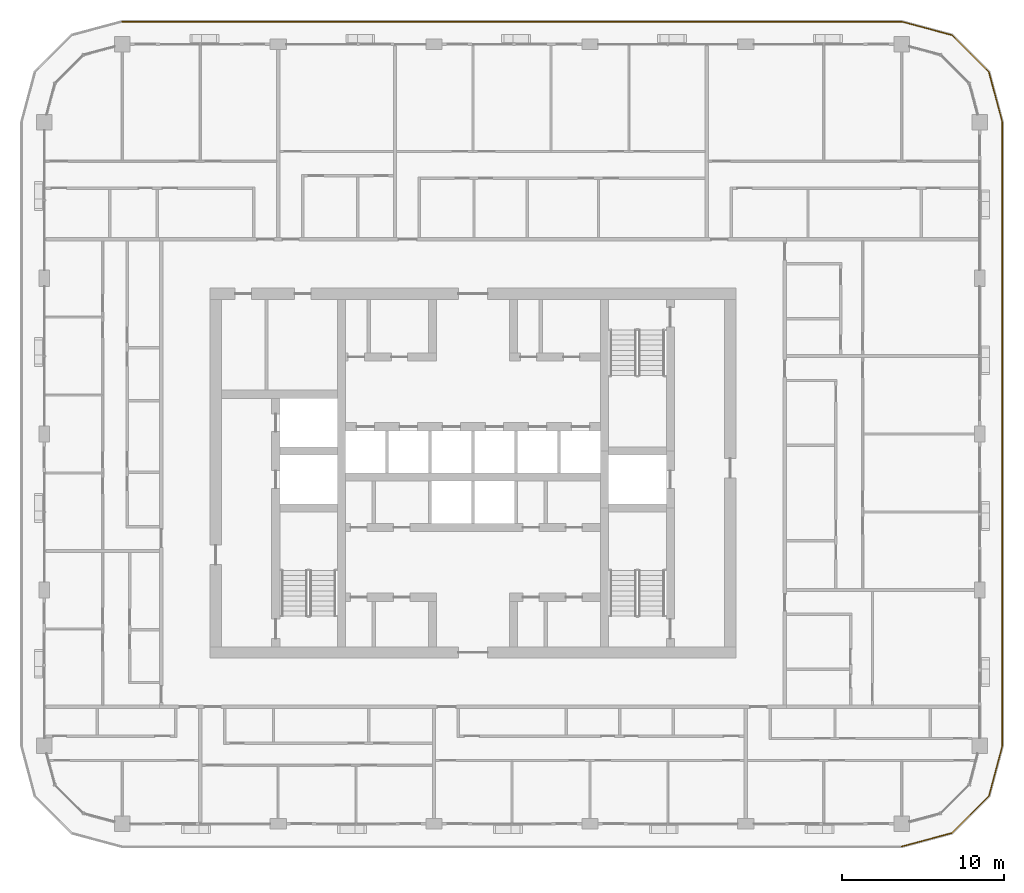
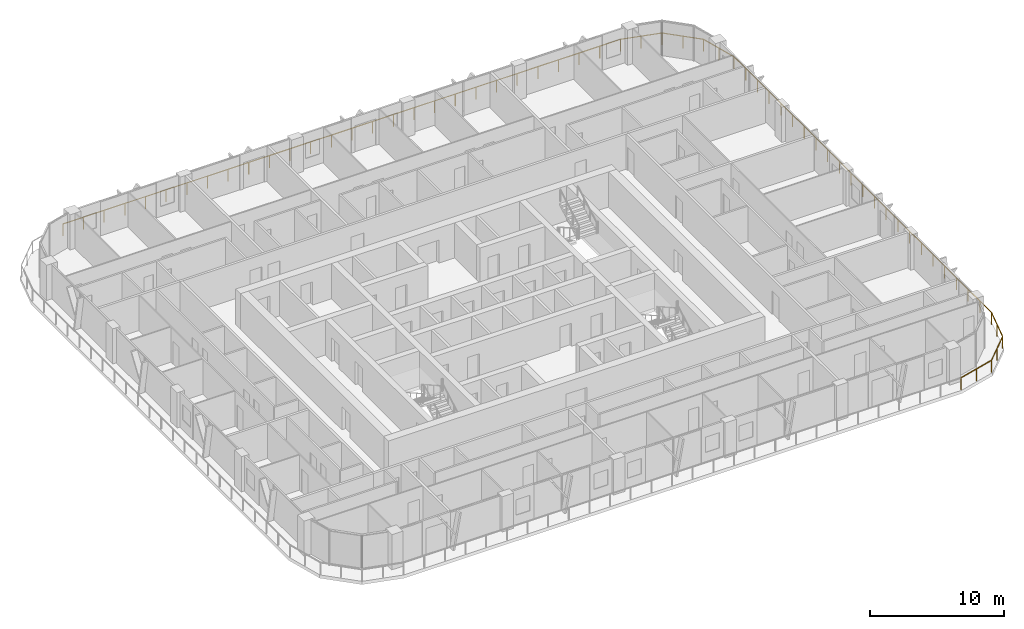
# One storey, part 21 of 23: 1 railing.
"""IFC4 building model written with IfcOpenShell, lengths in metres."""

from ifc_helpers import new_model, si_unit, direction, frame, origin, origin_2d, place, context, subcontext, project, spatial, circle, extrude, material, type_object, element, save


model = new_model("IFC4")

# Units and contexts
model_context = context("Model", 3, precision=1e-05, world=origin(), true_north=direction((0.0, 1.0)))
body_context = subcontext(model_context, "Body", "Model", "MODEL_VIEW")
ifc_project = project(units=[si_unit("LENGTHUNIT", "METRE"), si_unit("AREAUNIT", "SQUARE_METRE"), si_unit("VOLUMEUNIT", "CUBIC_METRE"), si_unit("PLANEANGLEUNIT", "RADIAN"), si_unit("MASSUNIT", "GRAM", prefix="KILO")], contexts=[model_context])

# Site, building, storey
site_placement = place(None, origin())
site = spatial("IfcSite", under=ifc_project, at=site_placement, CompositionType="ELEMENT")
building_placement = place(site_placement, origin())
building = spatial("IfcBuilding", under=site, at=building_placement, Name="Madar Terraces", CompositionType="ELEMENT")
storey_placement = place(building_placement, frame((0.0, 0.0, 222.800048828125)))
storey = spatial("IfcBuildingStorey", under=building, at=storey_placement, Name="L58", CompositionType="ELEMENT", Elevation=222.800048828125)

# Railing
ifc_material = material(Name="Glass, safety glazing, with stainless steel posts", Category="steel")
railing_type = type_object("IfcRailingType", Name="Balcony glass guard 1100", PredefinedType="GUARDRAIL", material=ifc_material)
railing_placement = place(storey_placement, frame((57.60009765625, 3.39990234375, 0.0)))
element("IfcRailing", 1, at=railing_placement, inside=storey, type_object=railing_type, Name="Balcony guard", PredefinedType="GUARDRAIL", context=body_context, shape_type="SweptSolid", body=[
    extrude(circle(Radius=0.02392578125, at=origin_2d()), frame((0.0, 0.0, 1.076171875), z_axis=(0.965909675762, 0.25887931217, 0.0), x_axis=(-0.25887931217, 0.965909675762, 0.0)), (0.0, 0.0, 1.0), 3.209228515625),
    extrude(circle(Radius=0.02392578125, at=origin_2d()), frame((3.099853515625, 0.830810546875, 1.076171875), z_axis=(0.707144815061, 0.707068745266, 0.0), x_axis=(-0.707068745266, 0.707144815061, 0.0)), (0.0, 0.0, 1.0), 3.20947265625),
    extrude(circle(Radius=0.02392578125, at=origin_2d()), frame((5.369384765625, 3.10009765625, 1.076171875), z_axis=(0.258789317819, 0.9659337912, 0.0), x_axis=(-0.9659337912, 0.258789317819, 0.0)), (0.0, 0.0, 1.0), 3.20947265625),
    extrude(circle(Radius=0.02392578125, at=origin_2d()), frame((6.199951171875, 6.2001953125, 1.076171875), z_axis=(0.0, 1.0, 0.0), x_axis=(-1.0, 0.0, 0.0)), (0.0, 0.0, 1.0), 38.39990234375),
    extrude(circle(Radius=0.02392578125, at=origin_2d()), frame((6.199951171875, 44.60009765625, 1.076171875), z_axis=(-0.258789317819, 0.9659337912, 0.0), x_axis=(-0.9659337912, -0.258789317819, 0.0)), (0.0, 0.0, 1.0), 3.20947265625),
    extrude(circle(Radius=0.02392578125, at=origin_2d()), frame((5.369384765625, 47.7001953125, 1.076171875), z_axis=(-0.707144815061, 0.707068745266, 0.0), x_axis=(-0.707068745266, -0.707144815061, 0.0)), (0.0, 0.0, 1.0), 3.20947265625),
    extrude(circle(Radius=0.02392578125, at=origin_2d()), frame((3.099853515625, 49.969482421875, 1.076171875), z_axis=(-0.965928696102, 0.258808334578, 0.0), x_axis=(-0.258808334578, -0.965928696102, 0.0)), (0.0, 0.0, 1.0), 3.209228515625),
    extrude(circle(Radius=0.02392578125, at=origin_2d()), frame((0.0, 50.800048828125, 1.076171875), z_axis=(-1.0, 0.0, 0.0), x_axis=(0.0, -1.0, 0.0)), (0.0, 0.0, 1.0), 48.0),
    extrude(circle(Radius=0.02099609375, at=origin_2d()), origin(), (0.0, 0.0, 1.0), 1.052001953125),
    extrude(circle(Radius=0.02099609375, at=origin_2d()), frame((1.5498046875, 0.41552734375, 0.0)), (0.0, 0.0, 1.0), 1.052001953125),
    extrude(circle(Radius=0.02099609375, at=origin_2d()), frame((3.099853515625, 0.830810546875, 0.0)), (0.0, 0.0, 1.0), 1.052001953125),
    extrude(circle(Radius=0.02099609375, at=origin_2d()), frame((4.234619140625, 1.96533203125, 0.0)), (0.0, 0.0, 1.0), 1.052001953125),
    extrude(circle(Radius=0.02099609375, at=origin_2d()), frame((5.369384765625, 3.10009765625, 0.0)), (0.0, 0.0, 1.0), 1.052001953125),
    extrude(circle(Radius=0.02099609375, at=origin_2d()), frame((5.78466796875, 4.650146484375, 0.0)), (0.0, 0.0, 1.0), 1.052001953125),
    extrude(circle(Radius=0.02099609375, at=origin_2d()), frame((6.199951171875, 6.2001953125, 0.0)), (0.0, 0.0, 1.0), 1.052001953125),
    extrude(circle(Radius=0.02099609375, at=origin_2d()), frame((6.199951171875, 7.945556640625, 0.0)), (0.0, 0.0, 1.0), 1.052001953125),
    extrude(circle(Radius=0.02099609375, at=origin_2d()), frame((6.199951171875, 9.691162109375, 0.0)), (0.0, 0.0, 1.0), 1.052001953125),
    extrude(circle(Radius=0.02099609375, at=origin_2d()), frame((6.199951171875, 11.4365234375, 0.0)), (0.0, 0.0, 1.0), 1.052001953125),
    extrude(circle(Radius=0.02099609375, at=origin_2d()), frame((6.199951171875, 13.181884765625, 0.0)), (0.0, 0.0, 1.0), 1.052001953125),
    extrude(circle(Radius=0.02099609375, at=origin_2d()), frame((6.199951171875, 14.927490234375, 0.0)), (0.0, 0.0, 1.0), 1.052001953125),
    extrude(circle(Radius=0.02099609375, at=origin_2d()), frame((6.199951171875, 16.6728515625, 0.0)), (0.0, 0.0, 1.0), 1.052001953125),
    extrude(circle(Radius=0.02099609375, at=origin_2d()), frame((6.199951171875, 18.41845703125, 0.0)), (0.0, 0.0, 1.0), 1.052001953125),
    extrude(circle(Radius=0.02099609375, at=origin_2d()), frame((6.199951171875, 20.163818359375, 0.0)), (0.0, 0.0, 1.0), 1.052001953125),
    extrude(circle(Radius=0.02099609375, at=origin_2d()), frame((6.199951171875, 21.9091796875, 0.0)), (0.0, 0.0, 1.0), 1.052001953125),
    extrude(circle(Radius=0.02099609375, at=origin_2d()), frame((6.199951171875, 23.65478515625, 0.0)), (0.0, 0.0, 1.0), 1.052001953125),
    extrude(circle(Radius=0.02099609375, at=origin_2d()), frame((6.199951171875, 25.400146484375, 0.0)), (0.0, 0.0, 1.0), 1.052001953125),
    extrude(circle(Radius=0.02099609375, at=origin_2d()), frame((6.199951171875, 27.1455078125, 0.0)), (0.0, 0.0, 1.0), 1.052001953125),
    extrude(circle(Radius=0.02099609375, at=origin_2d()), frame((6.199951171875, 28.89111328125, 0.0)), (0.0, 0.0, 1.0), 1.052001953125),
    extrude(circle(Radius=0.02099609375, at=origin_2d()), frame((6.199951171875, 30.636474609375, 0.0)), (0.0, 0.0, 1.0), 1.052001953125),
    extrude(circle(Radius=0.02099609375, at=origin_2d()), frame((6.199951171875, 32.3818359375, 0.0)), (0.0, 0.0, 1.0), 1.052001953125),
    extrude(circle(Radius=0.02099609375, at=origin_2d()), frame((6.199951171875, 34.12744140625, 0.0)), (0.0, 0.0, 1.0), 1.052001953125),
    extrude(circle(Radius=0.02099609375, at=origin_2d()), frame((6.199951171875, 35.872802734375, 0.0)), (0.0, 0.0, 1.0), 1.052001953125),
    extrude(circle(Radius=0.02099609375, at=origin_2d()), frame((6.199951171875, 37.618408203125, 0.0)), (0.0, 0.0, 1.0), 1.052001953125),
    extrude(circle(Radius=0.02099609375, at=origin_2d()), frame((6.199951171875, 39.36376953125, 0.0)), (0.0, 0.0, 1.0), 1.052001953125),
    extrude(circle(Radius=0.02099609375, at=origin_2d()), frame((6.199951171875, 41.109130859375, 0.0)), (0.0, 0.0, 1.0), 1.052001953125),
    extrude(circle(Radius=0.02099609375, at=origin_2d()), frame((6.199951171875, 42.854736328125, 0.0)), (0.0, 0.0, 1.0), 1.052001953125),
    extrude(circle(Radius=0.02099609375, at=origin_2d()), frame((6.199951171875, 44.60009765625, 0.0)), (0.0, 0.0, 1.0), 1.052001953125),
    extrude(circle(Radius=0.02099609375, at=origin_2d()), frame((5.78466796875, 46.150146484375, 0.0)), (0.0, 0.0, 1.0), 1.052001953125),
    extrude(circle(Radius=0.02099609375, at=origin_2d()), frame((5.369384765625, 47.7001953125, 0.0)), (0.0, 0.0, 1.0), 1.052001953125),
    extrude(circle(Radius=0.02099609375, at=origin_2d()), frame((4.234619140625, 48.8349609375, 0.0)), (0.0, 0.0, 1.0), 1.052001953125),
    extrude(circle(Radius=0.02099609375, at=origin_2d()), frame((3.099853515625, 49.969482421875, 0.0)), (0.0, 0.0, 1.0), 1.052001953125),
    extrude(circle(Radius=0.02099609375, at=origin_2d()), frame((1.5498046875, 50.384765625, 0.0)), (0.0, 0.0, 1.0), 1.052001953125),
    extrude(circle(Radius=0.02099609375, at=origin_2d()), frame((0.0, 50.800048828125, 0.0)), (0.0, 0.0, 1.0), 1.052001953125),
    extrude(circle(Radius=0.02099609375, at=origin_2d()), frame((-1.77783203125, 50.800048828125, 0.0)), (0.0, 0.0, 1.0), 1.052001953125),
    extrude(circle(Radius=0.02099609375, at=origin_2d()), frame((-3.5556640625, 50.800048828125, 0.0)), (0.0, 0.0, 1.0), 1.052001953125),
    extrude(circle(Radius=0.02099609375, at=origin_2d()), frame((-5.333251953125, 50.800048828125, 0.0)), (0.0, 0.0, 1.0), 1.052001953125),
    extrude(circle(Radius=0.02099609375, at=origin_2d()), frame((-7.111083984375, 50.800048828125, 0.0)), (0.0, 0.0, 1.0), 1.052001953125),
    extrude(circle(Radius=0.02099609375, at=origin_2d()), frame((-8.888916015625, 50.800048828125, 0.0)), (0.0, 0.0, 1.0), 1.052001953125),
    extrude(circle(Radius=0.02099609375, at=origin_2d()), frame((-10.666748046875, 50.800048828125, 0.0)), (0.0, 0.0, 1.0), 1.052001953125),
    extrude(circle(Radius=0.02099609375, at=origin_2d()), frame((-12.4443359375, 50.800048828125, 0.0)), (0.0, 0.0, 1.0), 1.052001953125),
    extrude(circle(Radius=0.02099609375, at=origin_2d()), frame((-14.22216796875, 50.800048828125, 0.0)), (0.0, 0.0, 1.0), 1.052001953125),
    extrude(circle(Radius=0.02099609375, at=origin_2d()), frame((-16.0, 50.800048828125, 0.0)), (0.0, 0.0, 1.0), 1.052001953125),
    extrude(circle(Radius=0.02099609375, at=origin_2d()), frame((-17.77783203125, 50.800048828125, 0.0)), (0.0, 0.0, 1.0), 1.052001953125),
    extrude(circle(Radius=0.02099609375, at=origin_2d()), frame((-19.5556640625, 50.800048828125, 0.0)), (0.0, 0.0, 1.0), 1.052001953125),
    extrude(circle(Radius=0.02099609375, at=origin_2d()), frame((-21.333251953125, 50.800048828125, 0.0)), (0.0, 0.0, 1.0), 1.052001953125),
    extrude(circle(Radius=0.02099609375, at=origin_2d()), frame((-23.111083984375, 50.800048828125, 0.0)), (0.0, 0.0, 1.0), 1.052001953125),
    extrude(circle(Radius=0.02099609375, at=origin_2d()), frame((-24.888916015625, 50.800048828125, 0.0)), (0.0, 0.0, 1.0), 1.052001953125),
    extrude(circle(Radius=0.02099609375, at=origin_2d()), frame((-26.666748046875, 50.800048828125, 0.0)), (0.0, 0.0, 1.0), 1.052001953125),
    extrude(circle(Radius=0.02099609375, at=origin_2d()), frame((-28.4443359375, 50.800048828125, 0.0)), (0.0, 0.0, 1.0), 1.052001953125),
    extrude(circle(Radius=0.02099609375, at=origin_2d()), frame((-30.22216796875, 50.800048828125, 0.0)), (0.0, 0.0, 1.0), 1.052001953125),
    extrude(circle(Radius=0.02099609375, at=origin_2d()), frame((-32.0, 50.800048828125, 0.0)), (0.0, 0.0, 1.0), 1.052001953125),
    extrude(circle(Radius=0.02099609375, at=origin_2d()), frame((-33.77783203125, 50.800048828125, 0.0)), (0.0, 0.0, 1.0), 1.052001953125),
    extrude(circle(Radius=0.02099609375, at=origin_2d()), frame((-35.5556640625, 50.800048828125, 0.0)), (0.0, 0.0, 1.0), 1.052001953125),
    extrude(circle(Radius=0.02099609375, at=origin_2d()), frame((-37.333251953125, 50.800048828125, 0.0)), (0.0, 0.0, 1.0), 1.052001953125),
    extrude(circle(Radius=0.02099609375, at=origin_2d()), frame((-39.111083984375, 50.800048828125, 0.0)), (0.0, 0.0, 1.0), 1.052001953125),
    extrude(circle(Radius=0.02099609375, at=origin_2d()), frame((-40.888916015625, 50.800048828125, 0.0)), (0.0, 0.0, 1.0), 1.052001953125),
    extrude(circle(Radius=0.02099609375, at=origin_2d()), frame((-42.666748046875, 50.800048828125, 0.0)), (0.0, 0.0, 1.0), 1.052001953125),
    extrude(circle(Radius=0.02099609375, at=origin_2d()), frame((-44.4443359375, 50.800048828125, 0.0)), (0.0, 0.0, 1.0), 1.052001953125),
    extrude(circle(Radius=0.02099609375, at=origin_2d()), frame((-46.22216796875, 50.800048828125, 0.0)), (0.0, 0.0, 1.0), 1.052001953125),
    extrude(circle(Radius=0.02099609375, at=origin_2d()), frame((-48.0, 50.800048828125, 0.0)), (0.0, 0.0, 1.0), 1.052001953125),
])

save(model, "model.ifc")
